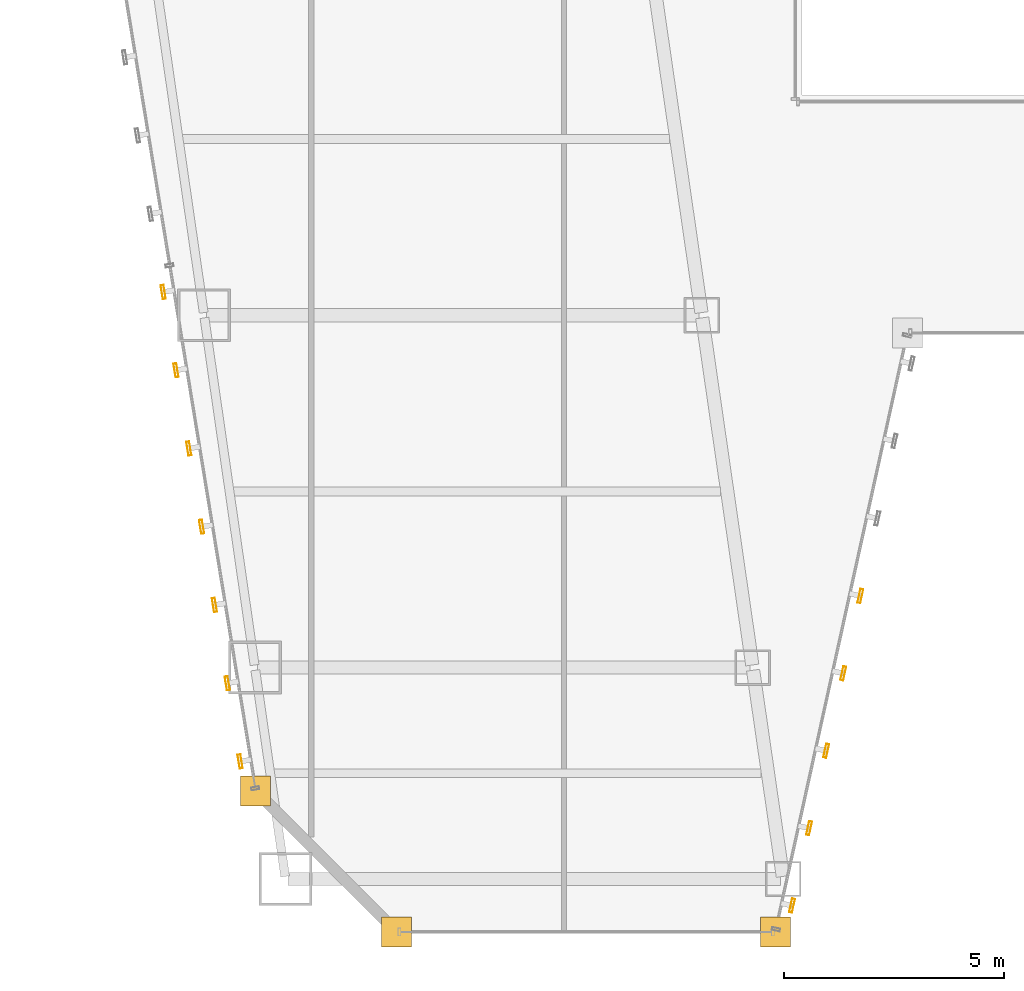
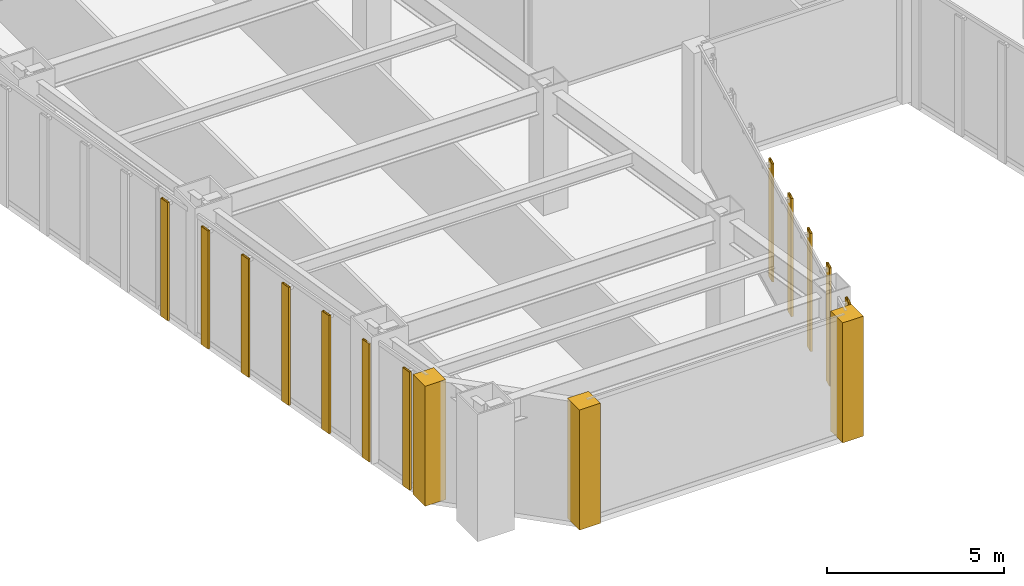
# One storey, part 41 of 47: 12 shading devices, 3 coverings.
"""IFC4 building model written with IfcOpenShell, lengths in metres."""

from ifc_helpers import new_model, si_unit, direction, frame, origin, origin_2d, place, context, subcontext, project, spatial, polyline, hollow_rectangle, outline, extrude, material, layer, layer_set, material_profile, profile_set, type_object, element, save


model = new_model("IFC4")

# Units and contexts
model_context = context("Model", 3, precision=1e-05, world=origin(), true_north=direction((0.0, 1.0)))
body_context = subcontext(model_context, "Body", "Model", "MODEL_VIEW")
ifc_project = project(units=[si_unit("LENGTHUNIT", "METRE"), si_unit("AREAUNIT", "SQUARE_METRE"), si_unit("VOLUMEUNIT", "CUBIC_METRE"), si_unit("PLANEANGLEUNIT", "RADIAN"), si_unit("MASSUNIT", "GRAM", prefix="KILO")], contexts=[model_context])

# Site, building, storey
site_placement = place(None, origin())
site = spatial("IfcSite", under=ifc_project, at=site_placement, CompositionType="ELEMENT")
building_placement = place(site_placement, origin())
building = spatial("IfcBuilding", under=site, at=building_placement, Name="Saevonmaru Cultural Tower", CompositionType="ELEMENT")
storey_placement = place(building_placement, frame((0.0, 0.0, 51.60009765625)))
storey = spatial("IfcBuildingStorey", under=building, at=storey_placement, Name="L10", CompositionType="ELEMENT", Elevation=51.60009765625)

# Coverings
ifc_material = material(Name="Satin Bronze Anodised Aluminium", Category="aluminium")
ifc_layer = layer(ifc_material, 0.679931640625, Name="Satin Bronze Anodised Aluminium")
ifc_layer_set = layer_set([ifc_layer], Name="Satin Bronze Anodised Aluminium")
covering_type = type_object("IfcCoveringType", Name="CV-CORNER-CLAD", PredefinedType="CLADDING", material=ifc_layer_set)
covering_1_placement = place(storey_placement, origin())
element("IfcCovering", 1, at=covering_1_placement, inside=storey, type_object=covering_type, Name="L10 Tower Bronze Corner Cladding Pier 1", PredefinedType="CLADDING", context=body_context, shape_type="SweptSolid", body=[
    extrude(outline(polyline([(11.4599609375, 4.860107421875), (12.139892578125, 4.860107421875), (12.139892578125, 5.5400390625), (11.4599609375, 5.5400390625), (11.4599609375, 4.860107421875)])), origin(), (0.0, 0.0, 1.0), 4.14990234375),
])
covering_2_placement = place(storey_placement, origin())
element("IfcCovering", 2, at=covering_2_placement, inside=storey, type_object=covering_type, Name="L10 Tower Bronze Corner Cladding Pier 2", PredefinedType="CLADDING", context=body_context, shape_type="SweptSolid", body=[
    extrude(outline(polyline([(14.659912109375, 1.659912109375), (15.340087890625, 1.659912109375), (15.340087890625, 2.340087890625), (14.659912109375, 2.340087890625), (14.659912109375, 1.659912109375)])), origin(), (0.0, 0.0, 1.0), 4.14990234375),
])
covering_3_placement = place(storey_placement, origin())
element("IfcCovering", 3, at=covering_3_placement, inside=storey, type_object=covering_type, Name="L10 Tower Bronze Corner Cladding Pier 3", PredefinedType="CLADDING", context=body_context, shape_type="SweptSolid", body=[
    extrude(outline(polyline([(23.260009765625, 1.659912109375), (23.93994140625, 1.659912109375), (23.93994140625, 2.340087890625), (23.260009765625, 2.340087890625), (23.260009765625, 1.659912109375)])), origin(), (0.0, 0.0, 1.0), 4.14990234375),
])

# Shading devices
ifc_material_profile = material_profile(ifc_material, hollow_rectangle(XDim=0.070068359375, YDim=0.320068359375, WallThickness=0.0048828125, at=origin_2d()), Name="FIN-320x70")
ifc_profile_set = profile_set([ifc_material_profile], Name="Satin Bronze Anodised Aluminium")
shading_device_type = type_object("IfcShadingDeviceType", Name="SHD-FIN-320", PredefinedType="JALOUSIE", material=ifc_profile_set)
for number, where, z_axis, x_axis, name in (
    (4, (23.977294921875, 2.59619140625, 0.0498046875), (0.0, 0.0, 1.0), (0.976522126798, -0.215417120661, 0.0), "L10 Art Deco Sawtooth Bronze Fin E3-01"),
    (5, (24.364990234375, 4.35400390625, 0.0498046875), (0.0, 0.0, 1.0), (0.976522126798, -0.215417120661, 0.0), "L10 Art Deco Sawtooth Bronze Fin E3-02"),
    (6, (24.752685546875, 6.11181640625, 0.0498046875), (0.0, 0.0, 1.0), (0.976522126798, -0.215417120661, 0.0), "L10 Art Deco Sawtooth Bronze Fin E3-03"),
    (7, (25.140380859375, 7.869384765625, 0.0498046875), (0.0, 0.0, 1.0), (0.976522126798, -0.215417120661, 0.0), "L10 Art Deco Sawtooth Bronze Fin E3-04"),
    (8, (25.5283203125, 9.627197265625, 0.0498046875), (0.0, 0.0, 1.0), (0.976522126798, -0.215417120661, 0.0), "L10 Art Deco Sawtooth Bronze Fin E3-05"),
    (9, (9.70068359375, 16.527099609375, 0.0498046875), (0.0, 0.0, 1.0), (-0.986827496189, -0.161776057456, 0.0), "L10 Art Deco Sawtooth Bronze Fin E12-21"),
    (10, (9.99169921875, 14.750732421875, 0.0498046875), (0.0, 0.0, 1.0), (-0.986827496189, -0.161776057456, 0.0), "L10 Art Deco Sawtooth Bronze Fin E12-22"),
    (11, (10.28271484375, 12.974365234375, 0.0498046875), (0.0, 0.0, 1.0), (-0.986827496189, -0.161776057456, 0.0), "L10 Art Deco Sawtooth Bronze Fin E12-23"),
    (12, (10.573974609375, 11.197998046875, 0.0498046875), (0.0, 0.0, 1.0), (-0.986827496189, -0.161776057456, 0.0), "L10 Art Deco Sawtooth Bronze Fin E12-24"),
    (13, (10.864990234375, 9.421875, 0.0498046875), (0.0, 0.0, 1.0), (-0.986827496189, -0.161776057456, 0.0), "L10 Art Deco Sawtooth Bronze Fin E12-25"),
    (14, (11.156005859375, 7.6455078125, 0.0498046875), (0.0, 0.0, 1.0), (-0.986827496189, -0.161776057456, 0.0), "L10 Art Deco Sawtooth Bronze Fin E12-26"),
    (15, (11.447021484375, 5.869140625, 0.0498046875), (0.0, 0.0, 1.0), (-0.986827496189, -0.161776057456, 0.0), "L10 Art Deco Sawtooth Bronze Fin E12-27"),
):
    element("IfcShadingDevice", number, at=place(storey_placement, frame(where, z_axis=z_axis, x_axis=x_axis)), inside=storey, type_object=shading_device_type, Name=name, PredefinedType="JALOUSIE", context=body_context, shape_type="SweptSolid", body=[
        extrude(hollow_rectangle(XDim=0.070068359375, YDim=0.320068359375, WallThickness=0.0048828125, at=origin_2d()), origin(), (0.0, 0.0, 1.0), 4.080078125),
    ])

save(model, "model.ifc")
